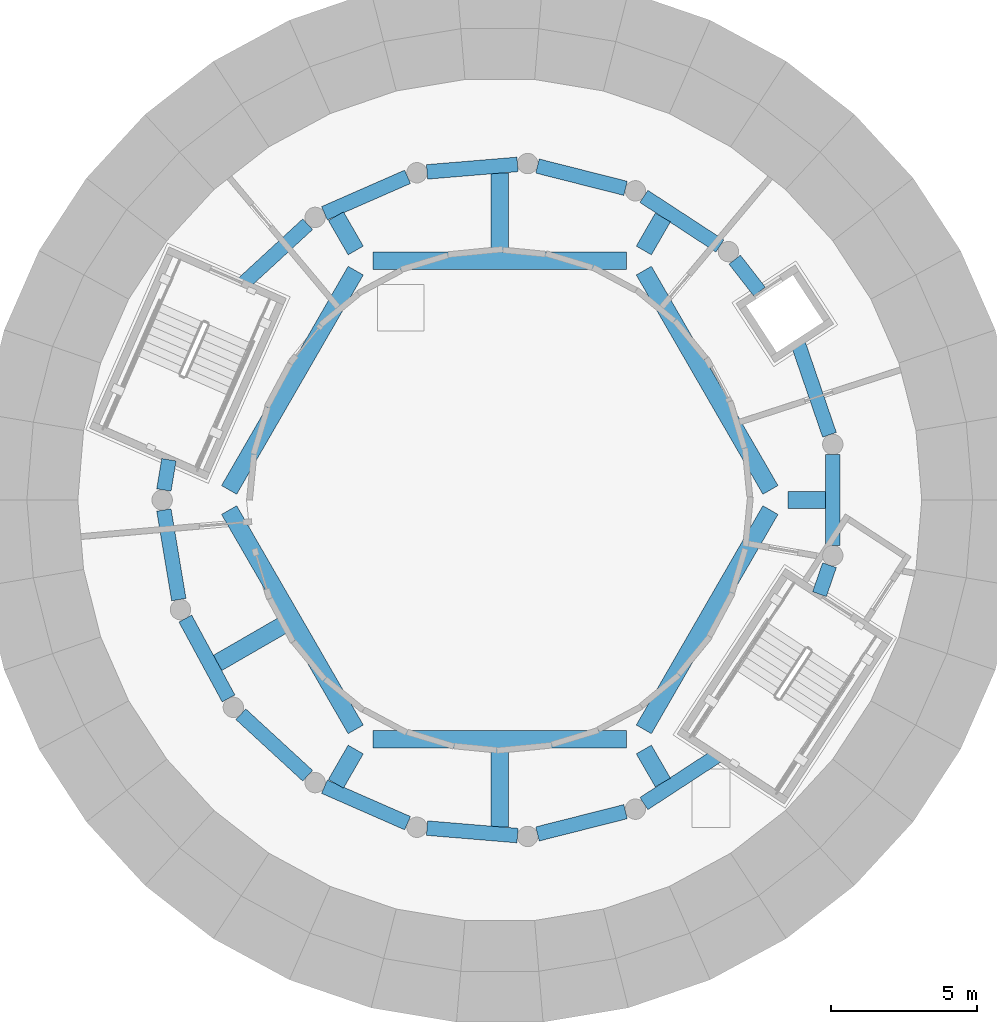
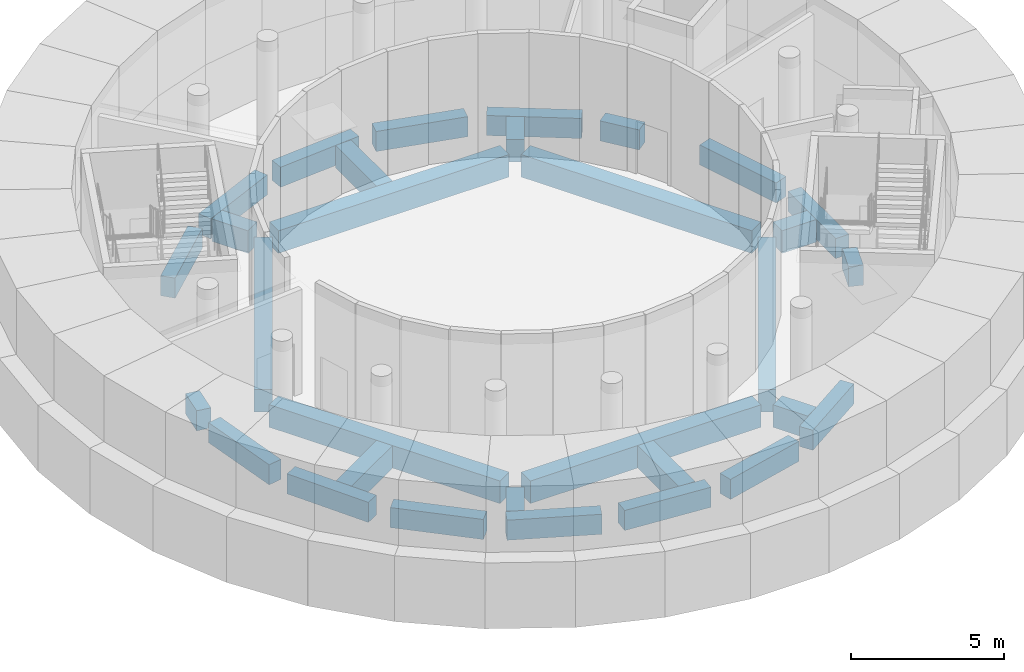
# One storey, part 48 of 125: 31 beams.
"""IFC4 building model written with IfcOpenShell, lengths in metres."""

from ifc_helpers import new_model, si_unit, direction, frame, origin, origin_2d, place, context, subcontext, project, spatial, rectangle, extrude, material, material_profile, profile_set, type_object, element, save


model = new_model("IFC4")

# Units and contexts
model_context = context("Model", 3, precision=1e-05, world=origin(), true_north=direction((0.0, 1.0)))
body_context = subcontext(model_context, "Body", "Model", "MODEL_VIEW")
ifc_project = project(units=[si_unit("LENGTHUNIT", "METRE"), si_unit("AREAUNIT", "SQUARE_METRE"), si_unit("VOLUMEUNIT", "CUBIC_METRE"), si_unit("PLANEANGLEUNIT", "RADIAN"), si_unit("MASSUNIT", "GRAM", prefix="KILO")], contexts=[model_context])

# Site, building, storey
site_placement = place(None, origin())
site = spatial("IfcSite", under=ifc_project, at=site_placement, CompositionType="ELEMENT")
building_placement = place(site_placement, origin())
building = spatial("IfcBuilding", under=site, at=building_placement, Name="Sun Court Science Centre", CompositionType="ELEMENT")
storey_placement = place(building_placement, frame((0.0, 0.0, 6.0)))
storey = spatial("IfcBuildingStorey", under=building, at=storey_placement, Name="L01", CompositionType="ELEMENT", Elevation=6.0)

# Beams
ifc_material_1 = material(Name="Concrete C25/30", Category="concrete")
ifc_material_profile_1 = material_profile(ifc_material_1, rectangle(XDim=0.5, YDim=0.800048828125, at=origin_2d()), Name="RC 500x800")
ifc_profile_set_1 = profile_set([ifc_material_profile_1], Name="Concrete C25/30")
beam_type_1 = type_object("IfcBeamType", Name="RC girder 500x800", PredefinedType="BEAM", material=ifc_profile_set_1)
beam_1_placement = place(storey_placement, frame((62.328369140625, 99.0400390625, -0.699951171875), z_axis=(-0.324735444116, 0.945804890733, 0.0), x_axis=(-0.945804890733, -0.324735444116, 0.0)))
element("IfcBeam", 1, at=beam_1_placement, inside=storey, type_object=beam_type_1, Name="Gallery ring beam", PredefinedType="BEAM", context=body_context, shape_type="SweptSolid", body=[
    extrude(rectangle(XDim=0.5, YDim=0.800048828125, at=origin_2d()), origin(), (0.0, 0.0, 1.0), 3.3095703125),
])
beam_2_placement = place(storey_placement, frame((59.92578125, 103.96044921875, -0.699951171875), z_axis=(-0.614195708895, 0.789153743687, 0.0), x_axis=(-0.789153743687, -0.614195708895, 0.0)))
element("IfcBeam", 2, at=beam_2_placement, inside=storey, type_object=beam_type_1, Name="Gallery ring beam", PredefinedType="BEAM", context=body_context, shape_type="SweptSolid", body=[
    extrude(rectangle(XDim=0.5, YDim=0.800048828125, at=origin_2d()), origin(), (0.0, 0.0, 1.0), 1.391357421875),
])
beam_3_placement = place(storey_placement, frame((58.5634765625, 105.525634765625, -0.699951171875), z_axis=(-0.837121273755, 0.547017342528, 0.0), x_axis=(-0.547017342528, -0.837121273755, 0.0)))
element("IfcBeam", 3, at=beam_3_placement, inside=storey, type_object=beam_type_1, Name="Gallery ring beam", PredefinedType="BEAM", context=body_context, shape_type="SweptSolid", body=[
    extrude(rectangle(XDim=0.5, YDim=0.800048828125, at=origin_2d()), origin(), (0.0, 0.0, 1.0), 3.118896484375),
])
beam_4_placement = place(storey_placement, frame((55.32080078125, 107.5087890625, -0.699951171875), z_axis=(-0.969392092392, 0.245517761492, 0.0), x_axis=(-0.245517761492, -0.969392092392, 0.0)))
element("IfcBeam", 4, at=beam_4_placement, inside=storey, type_object=beam_type_1, Name="Gallery ring beam", PredefinedType="BEAM", context=body_context, shape_type="SweptSolid", body=[
    extrude(rectangle(XDim=0.5, YDim=0.800048828125, at=origin_2d()), origin(), (0.0, 0.0, 1.0), 3.119384765625),
])
for number, where, z_axis, x_axis, name in (
    (5, (51.609375, 108.33154296875, -0.699951171875), (-0.996584516189, -0.082579065707, 0.0), (0.082579065707, -0.996584516189, 0.0), "Gallery ring beam"),
    (6, (47.83203125, 107.904541015625, -0.699951171875), (-0.915776085797, -0.401689134385, 0.0), (0.401689134385, -0.915776085797, 0.0), "Gallery ring beam"),
):
    element("IfcBeam", number, at=place(storey_placement, frame(where, z_axis=z_axis, x_axis=x_axis)), inside=storey, type_object=beam_type_1, Name=name, PredefinedType="BEAM", context=body_context, shape_type="SweptSolid", body=[
        extrude(rectangle(XDim=0.5, YDim=0.800048828125, at=origin_2d()), origin(), (0.0, 0.0, 1.0), 3.119140625),
    ])
beam_5_placement = place(storey_placement, frame((44.398193359375, 106.2744140625, -0.699951171875), z_axis=(-0.735718344426, -0.677287618132, 0.0), x_axis=(0.677287618132, -0.735718344426, 0.0)))
element("IfcBeam", 7, at=beam_5_placement, inside=storey, type_object=beam_type_1, Name="Gallery ring beam", PredefinedType="BEAM", context=body_context, shape_type="SweptSolid", body=[
    extrude(rectangle(XDim=0.5, YDim=0.800048828125, at=origin_2d()), origin(), (0.0, 0.0, 1.0), 2.974853515625),
])
beam_6_placement = place(storey_placement, frame((39.630859375, 98.183349609375, -0.699951171875), z_axis=(-0.164624581976, -0.986356298205, 0.0), x_axis=(0.986356298205, -0.164624581976, 0.0)))
element("IfcBeam", 8, at=beam_6_placement, inside=storey, type_object=beam_type_1, Name="Gallery ring beam", PredefinedType="BEAM", context=body_context, shape_type="SweptSolid", body=[
    extrude(rectangle(XDim=0.5, YDim=0.800048828125, at=origin_2d()), origin(), (0.0, 0.0, 1.0), 1.052978515625),
])
beam_7_placement = place(storey_placement, frame((39.45751953125, 96.455078125, -0.699951171875), z_axis=(0.164602063052, -0.986360056389, 0.0), x_axis=(0.986360056389, 0.164602063052, 0.0)))
element("IfcBeam", 9, at=beam_7_placement, inside=storey, type_object=beam_type_1, Name="Gallery ring beam", PredefinedType="BEAM", context=body_context, shape_type="SweptSolid", body=[
    extrude(rectangle(XDim=0.5, YDim=0.800048828125, at=origin_2d()), origin(), (0.0, 0.0, 1.0), 3.119140625),
])
beam_8_placement = place(storey_placement, frame((40.195068359375, 92.725830078125, -0.699951171875), z_axis=(0.475942673452, -0.879476305302, 0.0), x_axis=(0.879476305302, 0.475942673452, 0.0)))
element("IfcBeam", 10, at=beam_8_placement, inside=storey, type_object=beam_type_1, Name="Gallery ring beam", PredefinedType="BEAM", context=body_context, shape_type="SweptSolid", body=[
    extrude(rectangle(XDim=0.5, YDim=0.800048828125, at=origin_2d()), origin(), (0.0, 0.0, 1.0), 3.118896484375),
])
beam_9_placement = place(storey_placement, frame((42.103271484375, 89.4384765625, -0.699951171875), z_axis=(0.735696984759, -0.677310819799, 0.0), x_axis=(0.677310819799, 0.735696984759, 0.0)))
element("IfcBeam", 11, at=beam_9_placement, inside=storey, type_object=beam_type_1, Name="Gallery ring beam", PredefinedType="BEAM", context=body_context, shape_type="SweptSolid", body=[
    extrude(rectangle(XDim=0.5, YDim=0.800048828125, at=origin_2d()), origin(), (0.0, 0.0, 1.0), 3.119384765625),
])
for number, where, z_axis, x_axis, name in (
    (12, (44.9755859375, 86.948486328125, -0.699951171875), (0.915776085797, -0.401689134385, 0.0), (0.401689134385, 0.915776085797, 0.0), "Gallery ring beam"),
    (13, (48.5009765625, 85.526123046875, -0.699951171875), (0.996584516189, -0.082579065707, 0.0), (0.082579065707, 0.996584516189, 0.0), "Gallery ring beam"),
):
    element("IfcBeam", number, at=place(storey_placement, frame(where, z_axis=z_axis, x_axis=x_axis)), inside=storey, type_object=beam_type_1, Name=name, PredefinedType="BEAM", context=body_context, shape_type="SweptSolid", body=[
        extrude(rectangle(XDim=0.5, YDim=0.800048828125, at=origin_2d()), origin(), (0.0, 0.0, 1.0), 3.119140625),
    ])
beam_10_placement = place(storey_placement, frame((52.296875, 85.325439453125, -0.699951171875), z_axis=(0.969392092392, 0.245517761492, 0.0), x_axis=(-0.245517761492, 0.969392092392, 0.0)))
element("IfcBeam", 14, at=beam_10_placement, inside=storey, type_object=beam_type_1, Name="Gallery ring beam", PredefinedType="BEAM", context=body_context, shape_type="SweptSolid", body=[
    extrude(rectangle(XDim=0.5, YDim=0.800048828125, at=origin_2d()), origin(), (0.0, 0.0, 1.0), 3.119384765625),
])
beam_11_placement = place(storey_placement, frame((55.95263671875, 86.368408203125, -0.699951171875), z_axis=(0.837166200016, 0.54694858401, 0.0), x_axis=(-0.54694858401, 0.837166200016, 0.0)))
element("IfcBeam", 15, at=beam_11_placement, inside=storey, type_object=beam_type_1, Name="Gallery ring beam", PredefinedType="BEAM", context=body_context, shape_type="SweptSolid", body=[
    extrude(rectangle(XDim=0.5, YDim=0.800048828125, at=origin_2d()), origin(), (0.0, 0.0, 1.0), 2.974609375),
])
beam_12_placement = place(storey_placement, frame((61.986328125, 93.564208984375, -0.699951171875), z_axis=(0.324839997595, 0.945768986573, 0.0), x_axis=(-0.945768986573, 0.324839997595, 0.0)))
element("IfcBeam", 16, at=beam_12_placement, inside=storey, type_object=beam_type_1, Name="Gallery ring beam", PredefinedType="BEAM", context=body_context, shape_type="SweptSolid", body=[
    extrude(rectangle(XDim=0.5, YDim=0.800048828125, at=origin_2d()), origin(), (0.0, 0.0, 1.0), 1.052978515625),
])
beam_13_placement = place(storey_placement, frame((62.44189453125, 95.24072265625, -0.699951171875), z_axis=(0.0, 1.0, 0.0), x_axis=(-1.0, 0.0, 0.0)))
element("IfcBeam", 17, at=beam_13_placement, inside=storey, type_object=beam_type_1, Name="Gallery ring beam", PredefinedType="BEAM", context=body_context, shape_type="SweptSolid", body=[
    extrude(rectangle(XDim=0.5, YDim=0.800048828125, at=origin_2d()), origin(), (0.0, 0.0, 1.0), 3.11865234375),
])
ifc_material_2 = material(Name="Concrete C25/30", Category="concrete")
ifc_material_profile_2 = material_profile(ifc_material_2, rectangle(XDim=0.60009765625, YDim=0.89990234375, at=origin_2d()), Name="RC 600x900")
ifc_profile_set_2 = profile_set([ifc_material_profile_2], Name="Concrete C25/30")
beam_type_2 = type_object("IfcBeamType", Name="RC girder 600x900", PredefinedType="BEAM", material=ifc_profile_set_2)
beam_14_placement = place(storey_placement, frame((60.30029296875, 97.14599609375, -0.75), z_axis=(-0.500013916395, 0.866017369001, 0.0), x_axis=(-0.866017369001, -0.500013916395, 0.0)))
element("IfcBeam", 18, at=beam_14_placement, inside=storey, type_object=beam_type_2, Name="Auditorium floor hexagon beam", PredefinedType="BEAM", context=body_context, shape_type="SweptSolid", body=[
    extrude(rectangle(XDim=0.60009765625, YDim=0.89990234375, at=origin_2d()), origin(), (0.0, 0.0, 1.0), 8.700927734375),
])
beam_15_placement = place(storey_placement, frame((55.35009765625, 105.02734375, -0.75), z_axis=(-1.0, 0.0, 0.0), x_axis=(0.0, -1.0, 0.0)))
element("IfcBeam", 19, at=beam_15_placement, inside=storey, type_object=beam_type_2, Name="Auditorium floor hexagon beam", PredefinedType="BEAM", context=body_context, shape_type="SweptSolid", body=[
    extrude(rectangle(XDim=0.60009765625, YDim=0.89990234375, at=origin_2d()), origin(), (0.0, 0.0, 1.0), 8.7001953125),
])
for number, where, z_axis, x_axis, name in (
    (20, (46.05029296875, 104.68115234375, -0.75), (-0.500013916395, -0.866017369001, 0.0), (0.866017369001, -0.500013916395, 0.0), "Auditorium floor hexagon beam"),
    (21, (41.69970703125, 96.453857421875, -0.75), (0.500013916395, -0.866017369001, 0.0), (0.866017369001, 0.500013916395, 0.0), "Auditorium floor hexagon beam"),
):
    element("IfcBeam", number, at=place(storey_placement, frame(where, z_axis=z_axis, x_axis=x_axis)), inside=storey, type_object=beam_type_2, Name=name, PredefinedType="BEAM", context=body_context, shape_type="SweptSolid", body=[
        extrude(rectangle(XDim=0.60009765625, YDim=0.89990234375, at=origin_2d()), origin(), (0.0, 0.0, 1.0), 8.700927734375),
    ])
beam_16_placement = place(storey_placement, frame((46.64990234375, 88.57275390625, -0.75), z_axis=(1.0, 0.0, 0.0), x_axis=(0.0, 1.0, 0.0)))
element("IfcBeam", 22, at=beam_16_placement, inside=storey, type_object=beam_type_2, Name="Auditorium floor hexagon beam", PredefinedType="BEAM", context=body_context, shape_type="SweptSolid", body=[
    extrude(rectangle(XDim=0.60009765625, YDim=0.89990234375, at=origin_2d()), origin(), (0.0, 0.0, 1.0), 8.7001953125),
])
beam_17_placement = place(storey_placement, frame((55.94970703125, 88.918701171875, -0.75), z_axis=(0.500013916395, 0.866017369001, 0.0), x_axis=(-0.866017369001, 0.500013916395, 0.0)))
element("IfcBeam", 23, at=beam_17_placement, inside=storey, type_object=beam_type_2, Name="Auditorium floor hexagon beam", PredefinedType="BEAM", context=body_context, shape_type="SweptSolid", body=[
    extrude(rectangle(XDim=0.60009765625, YDim=0.89990234375, at=origin_2d()), origin(), (0.0, 0.0, 1.0), 8.700927734375),
])
beam_18_placement = place(storey_placement, frame((60.89990234375, 96.800048828125, -0.75), z_axis=(1.0, 0.0, 0.0), x_axis=(0.0, 1.0, 0.0)))
element("IfcBeam", 24, at=beam_18_placement, inside=storey, type_object=beam_type_2, Name="Auditorium floor radial beam", PredefinedType="BEAM", context=body_context, shape_type="SweptSolid", body=[
    extrude(rectangle(XDim=0.60009765625, YDim=0.89990234375, at=origin_2d()), origin(), (0.0, 0.0, 1.0), 1.2919921875),
])
beam_19_placement = place(storey_placement, frame((55.94970703125, 105.373291015625, -0.75), z_axis=(0.500109828528, 0.865961984968, 0.0), x_axis=(-0.865961984968, 0.500109828528, 0.0)))
element("IfcBeam", 25, at=beam_19_placement, inside=storey, type_object=beam_type_2, Name="Auditorium floor radial beam", PredefinedType="BEAM", context=body_context, shape_type="SweptSolid", body=[
    extrude(rectangle(XDim=0.60009765625, YDim=0.89990234375, at=origin_2d()), origin(), (0.0, 0.0, 1.0), 1.309326171875),
])
beam_20_placement = place(storey_placement, frame((51.0, 105.3271484375, -0.75), z_axis=(0.0, 1.0, 0.0), x_axis=(-1.0, 0.0, 0.0)))
element("IfcBeam", 26, at=beam_20_placement, inside=storey, type_object=beam_type_2, Name="Auditorium floor radial beam", PredefinedType="BEAM", context=body_context, shape_type="SweptSolid", body=[
    extrude(rectangle(XDim=0.60009765625, YDim=0.89990234375, at=origin_2d()), origin(), (0.0, 0.0, 1.0), 2.702880859375),
])
beam_21_placement = place(storey_placement, frame((46.05029296875, 105.373291015625, -0.75), z_axis=(-0.500095225133, 0.865970418547, 0.0), x_axis=(-0.865970418547, -0.500095225133, 0.0)))
element("IfcBeam", 27, at=beam_21_placement, inside=storey, type_object=beam_type_2, Name="Auditorium floor radial beam", PredefinedType="BEAM", context=body_context, shape_type="SweptSolid", body=[
    extrude(rectangle(XDim=0.60009765625, YDim=0.89990234375, at=origin_2d()), origin(), (0.0, 0.0, 1.0), 1.360595703125),
])
beam_22_placement = place(storey_placement, frame((43.615234375, 92.536376953125, -0.75), z_axis=(-0.866016491138, -0.500015436839, 0.0), x_axis=(0.500015436839, -0.866016491138, 0.0)))
element("IfcBeam", 28, at=beam_22_placement, inside=storey, type_object=beam_type_2, Name="Auditorium floor radial beam", PredefinedType="BEAM", context=body_context, shape_type="SweptSolid", body=[
    extrude(rectangle(XDim=0.60009765625, YDim=0.89990234375, at=origin_2d()), origin(), (0.0, 0.0, 1.0), 2.6689453125),
])
beam_23_placement = place(storey_placement, frame((46.05029296875, 88.226806640625, -0.75), z_axis=(-0.500017526161, -0.866015284814, 0.0), x_axis=(0.866015284814, -0.500017526161, 0.0)))
element("IfcBeam", 29, at=beam_23_placement, inside=storey, type_object=beam_type_2, Name="Auditorium floor radial beam", PredefinedType="BEAM", context=body_context, shape_type="SweptSolid", body=[
    extrude(rectangle(XDim=0.60009765625, YDim=0.89990234375, at=origin_2d()), origin(), (0.0, 0.0, 1.0), 1.36083984375),
])
beam_24_placement = place(storey_placement, frame((51.0, 88.272705078125, -0.75), z_axis=(0.0, -1.0, 0.0), x_axis=(1.0, 0.0, 0.0)))
element("IfcBeam", 30, at=beam_24_placement, inside=storey, type_object=beam_type_2, Name="Auditorium floor radial beam", PredefinedType="BEAM", context=body_context, shape_type="SweptSolid", body=[
    extrude(rectangle(XDim=0.60009765625, YDim=0.89990234375, at=origin_2d()), origin(), (0.0, 0.0, 1.0), 2.702880859375),
])
beam_25_placement = place(storey_placement, frame((55.94970703125, 88.226806640625, -0.75), z_axis=(0.50002908413, -0.866008611403, 0.0), x_axis=(0.866008611403, 0.50002908413, 0.0)))
element("IfcBeam", 31, at=beam_25_placement, inside=storey, type_object=beam_type_2, Name="Auditorium floor radial beam", PredefinedType="BEAM", context=body_context, shape_type="SweptSolid", body=[
    extrude(rectangle(XDim=0.60009765625, YDim=0.89990234375, at=origin_2d()), origin(), (0.0, 0.0, 1.0), 1.3095703125),
])

save(model, "model.ifc")
